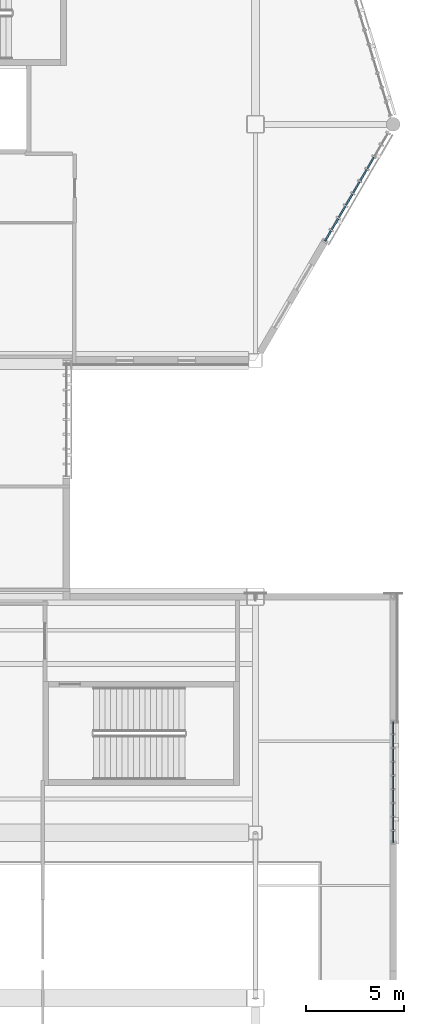
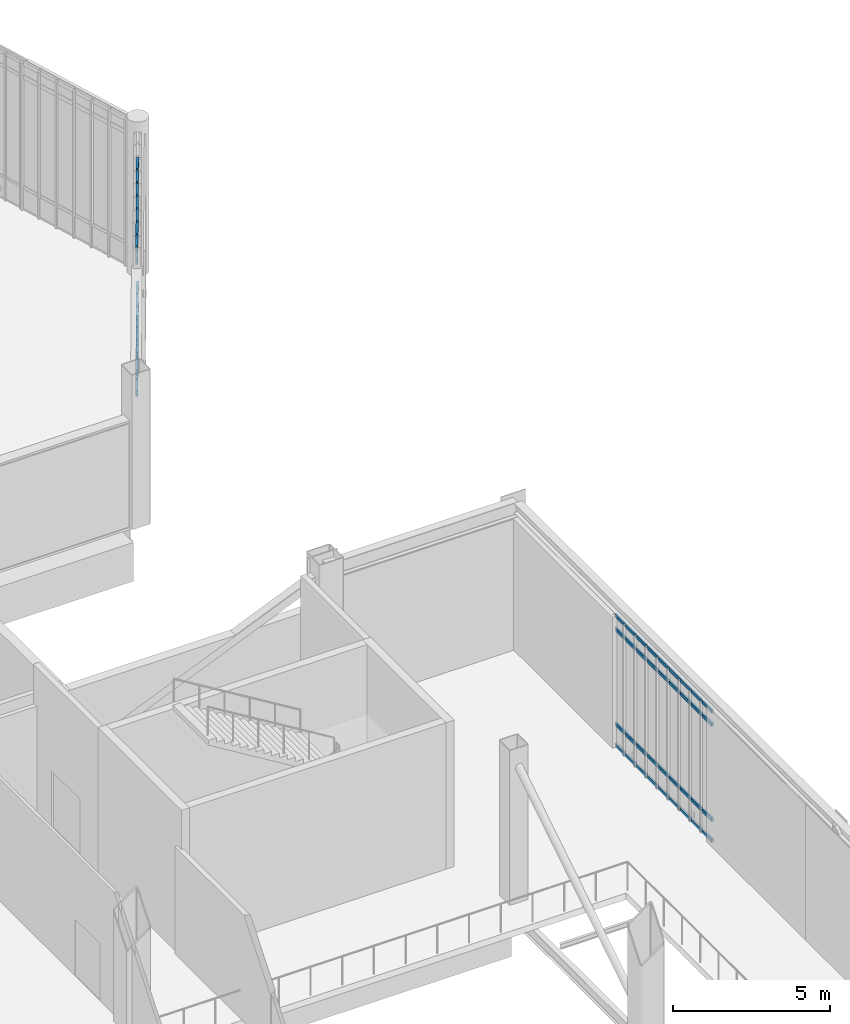
# One storey, part 62 of 135: 64 members, 2 elements without a shape of their own.
"""IFC4 building model written with IfcOpenShell, lengths in metres."""

from ifc_helpers import new_model, si_unit, direction, frame, origin, origin_2d, place, context, subcontext, project, spatial, rectangle, extrude, material, material_profile, profile_set, type_object, element, aggregate, save


model = new_model("IFC4")

# Units and contexts
model_context = context("Model", 3, precision=1e-05, world=origin(), true_north=direction((0.0, 1.0)))
body_context = subcontext(model_context, "Body", "Model", "MODEL_VIEW")
ifc_project = project(units=[si_unit("LENGTHUNIT", "METRE"), si_unit("AREAUNIT", "SQUARE_METRE"), si_unit("VOLUMEUNIT", "CUBIC_METRE"), si_unit("PLANEANGLEUNIT", "RADIAN"), si_unit("MASSUNIT", "GRAM", prefix="KILO")], contexts=[model_context])

# Site, building, storey
site_placement = place(None, origin())
site = spatial("IfcSite", under=ifc_project, at=site_placement, CompositionType="ELEMENT")
building_placement = place(site_placement, origin())
building = spatial("IfcBuilding", under=site, at=building_placement, Name="Larkvane Passage Sports Hall", CompositionType="ELEMENT")
storey_placement = place(building_placement, frame((0.0, 0.0, 10.800048828125)))
storey = spatial("IfcBuildingStorey", under=building, at=storey_placement, Name="L02", CompositionType="ELEMENT", Elevation=10.800048828125)

# Curtain wall, members
ifc_material_1 = material(Name="Thermally broken aluminium and low-E glazing", Category="aluminium")
curtain_wall_type_1 = type_object("IfcCurtainWallType", Name="CW-UNIT-COURT", PredefinedType="USERDEFINED", material=ifc_material_1)
curtain_wall_1_placement = place(storey_placement, origin())
curtain_wall_1 = element("IfcCurtainWall", 1, at=curtain_wall_1_placement, inside=storey, type_object=curtain_wall_type_1, Name="Curtain wall CW5-L02-072", ObjectType="UNITISED CURTAIN WALL", PredefinedType="USERDEFINED")
ifc_material_2 = material(Name="Anodised aluminium 6063-T6", Category="aluminium")
ifc_material_profile_1 = material_profile(ifc_material_2, rectangle(XDim=0.06494140625, YDim=0.139892578125, at=origin_2d()), Name="ALU-TRN-65x140")
ifc_profile_set_1 = profile_set([ifc_material_profile_1], Name="Anodised aluminium 6063-T6")
member_type_1 = type_object("IfcMemberType", Name="CW-TRN-65x140", PredefinedType="USERDEFINED", material=ifc_profile_set_1)
member_1_placement = place(storey_placement, frame((152.60009765625, 45.249267578125, 0.032470703125), z_axis=(0.0, -1.0, 0.0), x_axis=(1.0, 0.0, 0.0)))
member_1 = element("IfcMember", 2, at=member_1_placement, type_object=member_type_1, Name="CW-01 transom 1.1", ObjectType="TRANSOM", PredefinedType="USERDEFINED", context=body_context, shape_type="SweptSolid", body=[
    extrude(rectangle(XDim=0.06494140625, YDim=0.139892578125, at=origin_2d()), origin(), (0.0, 0.0, 1.0), 0.600830078125),
])
member_2_placement = place(storey_placement, frame((152.60009765625, 45.249267578125, 0.849853515625), z_axis=(0.0, -1.0, 0.0), x_axis=(1.0, 0.0, 0.0)))
member_2 = element("IfcMember", 3, at=member_2_placement, type_object=member_type_1, Name="CW-01 transom 1.2", ObjectType="TRANSOM", PredefinedType="USERDEFINED", context=body_context, shape_type="SweptSolid", body=[
    extrude(rectangle(XDim=0.06494140625, YDim=0.139892578125, at=origin_2d()), origin(), (0.0, 0.0, 1.0), 0.600830078125),
])
member_3_placement = place(storey_placement, frame((152.60009765625, 45.249267578125, 4.530029296875), z_axis=(0.0, -1.0, 0.0), x_axis=(1.0, 0.0, 0.0)))
member_3 = element("IfcMember", 4, at=member_3_placement, type_object=member_type_1, Name="CW-01 transom 1.3", ObjectType="TRANSOM", PredefinedType="USERDEFINED", context=body_context, shape_type="SweptSolid", body=[
    extrude(rectangle(XDim=0.06494140625, YDim=0.139892578125, at=origin_2d()), origin(), (0.0, 0.0, 1.0), 0.600830078125),
])
member_4_placement = place(storey_placement, frame((152.60009765625, 45.249267578125, 5.04736328125), z_axis=(0.0, -1.0, 0.0), x_axis=(1.0, 0.0, 0.0)))
member_4 = element("IfcMember", 5, at=member_4_placement, type_object=member_type_1, Name="CW-01 transom 1.4", ObjectType="TRANSOM", PredefinedType="USERDEFINED", context=body_context, shape_type="SweptSolid", body=[
    extrude(rectangle(XDim=0.06494140625, YDim=0.139892578125, at=origin_2d()), origin(), (0.0, 0.0, 1.0), 0.600830078125),
])
member_5_placement = place(storey_placement, frame((152.60009765625, 44.58349609375, 0.032470703125), z_axis=(0.0, -1.0, 0.0), x_axis=(1.0, 0.0, 0.0)))
member_5 = element("IfcMember", 6, at=member_5_placement, type_object=member_type_1, Name="CW-01 transom 2.1", ObjectType="TRANSOM", PredefinedType="USERDEFINED", context=body_context, shape_type="SweptSolid", body=[
    extrude(rectangle(XDim=0.06494140625, YDim=0.139892578125, at=origin_2d()), origin(), (0.0, 0.0, 1.0), 0.633544921875),
])
member_6_placement = place(storey_placement, frame((152.60009765625, 44.58349609375, 0.849853515625), z_axis=(0.0, -1.0, 0.0), x_axis=(1.0, 0.0, 0.0)))
member_6 = element("IfcMember", 7, at=member_6_placement, type_object=member_type_1, Name="CW-01 transom 2.2", ObjectType="TRANSOM", PredefinedType="USERDEFINED", context=body_context, shape_type="SweptSolid", body=[
    extrude(rectangle(XDim=0.06494140625, YDim=0.139892578125, at=origin_2d()), origin(), (0.0, 0.0, 1.0), 0.633544921875),
])
member_7_placement = place(storey_placement, frame((152.60009765625, 44.58349609375, 4.530029296875), z_axis=(0.0, -1.0, 0.0), x_axis=(1.0, 0.0, 0.0)))
member_7 = element("IfcMember", 8, at=member_7_placement, type_object=member_type_1, Name="CW-01 transom 2.3", ObjectType="TRANSOM", PredefinedType="USERDEFINED", context=body_context, shape_type="SweptSolid", body=[
    extrude(rectangle(XDim=0.06494140625, YDim=0.139892578125, at=origin_2d()), origin(), (0.0, 0.0, 1.0), 0.633544921875),
])
member_8_placement = place(storey_placement, frame((152.60009765625, 44.58349609375, 5.04736328125), z_axis=(0.0, -1.0, 0.0), x_axis=(1.0, 0.0, 0.0)))
member_8 = element("IfcMember", 9, at=member_8_placement, type_object=member_type_1, Name="CW-01 transom 2.4", ObjectType="TRANSOM", PredefinedType="USERDEFINED", context=body_context, shape_type="SweptSolid", body=[
    extrude(rectangle(XDim=0.06494140625, YDim=0.139892578125, at=origin_2d()), origin(), (0.0, 0.0, 1.0), 0.633544921875),
])
member_9_placement = place(storey_placement, frame((152.60009765625, 43.885009765625, 0.032470703125), z_axis=(0.0, -1.0, 0.0), x_axis=(1.0, 0.0, 0.0)))
member_9 = element("IfcMember", 10, at=member_9_placement, type_object=member_type_1, Name="CW-01 transom 3.1", ObjectType="TRANSOM", PredefinedType="USERDEFINED", context=body_context, shape_type="SweptSolid", body=[
    extrude(rectangle(XDim=0.06494140625, YDim=0.139892578125, at=origin_2d()), origin(), (0.0, 0.0, 1.0), 0.633544921875),
])
member_10_placement = place(storey_placement, frame((152.60009765625, 43.885009765625, 0.849853515625), z_axis=(0.0, -1.0, 0.0), x_axis=(1.0, 0.0, 0.0)))
member_10 = element("IfcMember", 11, at=member_10_placement, type_object=member_type_1, Name="CW-01 transom 3.2", ObjectType="TRANSOM", PredefinedType="USERDEFINED", context=body_context, shape_type="SweptSolid", body=[
    extrude(rectangle(XDim=0.06494140625, YDim=0.139892578125, at=origin_2d()), origin(), (0.0, 0.0, 1.0), 0.633544921875),
])
member_11_placement = place(storey_placement, frame((152.60009765625, 43.885009765625, 4.530029296875), z_axis=(0.0, -1.0, 0.0), x_axis=(1.0, 0.0, 0.0)))
member_11 = element("IfcMember", 12, at=member_11_placement, type_object=member_type_1, Name="CW-01 transom 3.3", ObjectType="TRANSOM", PredefinedType="USERDEFINED", context=body_context, shape_type="SweptSolid", body=[
    extrude(rectangle(XDim=0.06494140625, YDim=0.139892578125, at=origin_2d()), origin(), (0.0, 0.0, 1.0), 0.633544921875),
])
member_12_placement = place(storey_placement, frame((152.60009765625, 43.885009765625, 5.04736328125), z_axis=(0.0, -1.0, 0.0), x_axis=(1.0, 0.0, 0.0)))
member_12 = element("IfcMember", 13, at=member_12_placement, type_object=member_type_1, Name="CW-01 transom 3.4", ObjectType="TRANSOM", PredefinedType="USERDEFINED", context=body_context, shape_type="SweptSolid", body=[
    extrude(rectangle(XDim=0.06494140625, YDim=0.139892578125, at=origin_2d()), origin(), (0.0, 0.0, 1.0), 0.633544921875),
])
member_13_placement = place(storey_placement, frame((152.60009765625, 43.1865234375, 0.032470703125), z_axis=(0.0, -1.0, 0.0), x_axis=(1.0, 0.0, 0.0)))
member_13 = element("IfcMember", 14, at=member_13_placement, type_object=member_type_1, Name="CW-01 transom 4.1", ObjectType="TRANSOM", PredefinedType="USERDEFINED", context=body_context, shape_type="SweptSolid", body=[
    extrude(rectangle(XDim=0.06494140625, YDim=0.139892578125, at=origin_2d()), origin(), (0.0, 0.0, 1.0), 0.63330078125),
])
member_14_placement = place(storey_placement, frame((152.60009765625, 43.1865234375, 0.849853515625), z_axis=(0.0, -1.0, 0.0), x_axis=(1.0, 0.0, 0.0)))
member_14 = element("IfcMember", 15, at=member_14_placement, type_object=member_type_1, Name="CW-01 transom 4.2", ObjectType="TRANSOM", PredefinedType="USERDEFINED", context=body_context, shape_type="SweptSolid", body=[
    extrude(rectangle(XDim=0.06494140625, YDim=0.139892578125, at=origin_2d()), origin(), (0.0, 0.0, 1.0), 0.63330078125),
])
member_15_placement = place(storey_placement, frame((152.60009765625, 43.1865234375, 4.530029296875), z_axis=(0.0, -1.0, 0.0), x_axis=(1.0, 0.0, 0.0)))
member_15 = element("IfcMember", 16, at=member_15_placement, type_object=member_type_1, Name="CW-01 transom 4.3", ObjectType="TRANSOM", PredefinedType="USERDEFINED", context=body_context, shape_type="SweptSolid", body=[
    extrude(rectangle(XDim=0.06494140625, YDim=0.139892578125, at=origin_2d()), origin(), (0.0, 0.0, 1.0), 0.63330078125),
])
member_16_placement = place(storey_placement, frame((152.60009765625, 43.1865234375, 5.04736328125), z_axis=(0.0, -1.0, 0.0), x_axis=(1.0, 0.0, 0.0)))
member_16 = element("IfcMember", 17, at=member_16_placement, type_object=member_type_1, Name="CW-01 transom 4.4", ObjectType="TRANSOM", PredefinedType="USERDEFINED", context=body_context, shape_type="SweptSolid", body=[
    extrude(rectangle(XDim=0.06494140625, YDim=0.139892578125, at=origin_2d()), origin(), (0.0, 0.0, 1.0), 0.63330078125),
])
member_17_placement = place(storey_placement, frame((152.60009765625, 42.488037109375, 0.032470703125), z_axis=(0.0, -1.0, 0.0), x_axis=(1.0, 0.0, 0.0)))
member_17 = element("IfcMember", 18, at=member_17_placement, type_object=member_type_1, Name="CW-01 transom 5.1", ObjectType="TRANSOM", PredefinedType="USERDEFINED", context=body_context, shape_type="SweptSolid", body=[
    extrude(rectangle(XDim=0.06494140625, YDim=0.139892578125, at=origin_2d()), origin(), (0.0, 0.0, 1.0), 0.63330078125),
])
member_18_placement = place(storey_placement, frame((152.60009765625, 42.488037109375, 0.849853515625), z_axis=(0.0, -1.0, 0.0), x_axis=(1.0, 0.0, 0.0)))
member_18 = element("IfcMember", 19, at=member_18_placement, type_object=member_type_1, Name="CW-01 transom 5.2", ObjectType="TRANSOM", PredefinedType="USERDEFINED", context=body_context, shape_type="SweptSolid", body=[
    extrude(rectangle(XDim=0.06494140625, YDim=0.139892578125, at=origin_2d()), origin(), (0.0, 0.0, 1.0), 0.63330078125),
])
member_19_placement = place(storey_placement, frame((152.60009765625, 42.488037109375, 4.530029296875), z_axis=(0.0, -1.0, 0.0), x_axis=(1.0, 0.0, 0.0)))
member_19 = element("IfcMember", 20, at=member_19_placement, type_object=member_type_1, Name="CW-01 transom 5.3", ObjectType="TRANSOM", PredefinedType="USERDEFINED", context=body_context, shape_type="SweptSolid", body=[
    extrude(rectangle(XDim=0.06494140625, YDim=0.139892578125, at=origin_2d()), origin(), (0.0, 0.0, 1.0), 0.63330078125),
])
member_20_placement = place(storey_placement, frame((152.60009765625, 42.488037109375, 5.04736328125), z_axis=(0.0, -1.0, 0.0), x_axis=(1.0, 0.0, 0.0)))
member_20 = element("IfcMember", 21, at=member_20_placement, type_object=member_type_1, Name="CW-01 transom 5.4", ObjectType="TRANSOM", PredefinedType="USERDEFINED", context=body_context, shape_type="SweptSolid", body=[
    extrude(rectangle(XDim=0.06494140625, YDim=0.139892578125, at=origin_2d()), origin(), (0.0, 0.0, 1.0), 0.63330078125),
])
member_21_placement = place(storey_placement, frame((152.60009765625, 41.789794921875, 0.032470703125), z_axis=(0.0, -1.0, 0.0), x_axis=(1.0, 0.0, 0.0)))
member_21 = element("IfcMember", 22, at=member_21_placement, type_object=member_type_1, Name="CW-01 transom 6.1", ObjectType="TRANSOM", PredefinedType="USERDEFINED", context=body_context, shape_type="SweptSolid", body=[
    extrude(rectangle(XDim=0.06494140625, YDim=0.139892578125, at=origin_2d()), origin(), (0.0, 0.0, 1.0), 0.633544921875),
])
member_22_placement = place(storey_placement, frame((152.60009765625, 41.789794921875, 0.849853515625), z_axis=(0.0, -1.0, 0.0), x_axis=(1.0, 0.0, 0.0)))
member_22 = element("IfcMember", 23, at=member_22_placement, type_object=member_type_1, Name="CW-01 transom 6.2", ObjectType="TRANSOM", PredefinedType="USERDEFINED", context=body_context, shape_type="SweptSolid", body=[
    extrude(rectangle(XDim=0.06494140625, YDim=0.139892578125, at=origin_2d()), origin(), (0.0, 0.0, 1.0), 0.633544921875),
])
member_23_placement = place(storey_placement, frame((152.60009765625, 41.789794921875, 4.530029296875), z_axis=(0.0, -1.0, 0.0), x_axis=(1.0, 0.0, 0.0)))
member_23 = element("IfcMember", 24, at=member_23_placement, type_object=member_type_1, Name="CW-01 transom 6.3", ObjectType="TRANSOM", PredefinedType="USERDEFINED", context=body_context, shape_type="SweptSolid", body=[
    extrude(rectangle(XDim=0.06494140625, YDim=0.139892578125, at=origin_2d()), origin(), (0.0, 0.0, 1.0), 0.633544921875),
])
member_24_placement = place(storey_placement, frame((152.60009765625, 41.789794921875, 5.04736328125), z_axis=(0.0, -1.0, 0.0), x_axis=(1.0, 0.0, 0.0)))
member_24 = element("IfcMember", 25, at=member_24_placement, type_object=member_type_1, Name="CW-01 transom 6.4", ObjectType="TRANSOM", PredefinedType="USERDEFINED", context=body_context, shape_type="SweptSolid", body=[
    extrude(rectangle(XDim=0.06494140625, YDim=0.139892578125, at=origin_2d()), origin(), (0.0, 0.0, 1.0), 0.633544921875),
])
member_25_placement = place(storey_placement, frame((152.60009765625, 41.09130859375, 0.032470703125), z_axis=(0.0, -1.0, 0.0), x_axis=(1.0, 0.0, 0.0)))
member_25 = element("IfcMember", 26, at=member_25_placement, type_object=member_type_1, Name="CW-01 transom 7.1", ObjectType="TRANSOM", PredefinedType="USERDEFINED", context=body_context, shape_type="SweptSolid", body=[
    extrude(rectangle(XDim=0.06494140625, YDim=0.139892578125, at=origin_2d()), origin(), (0.0, 0.0, 1.0), 0.63330078125),
])
member_26_placement = place(storey_placement, frame((152.60009765625, 41.09130859375, 0.849853515625), z_axis=(0.0, -1.0, 0.0), x_axis=(1.0, 0.0, 0.0)))
member_26 = element("IfcMember", 27, at=member_26_placement, type_object=member_type_1, Name="CW-01 transom 7.2", ObjectType="TRANSOM", PredefinedType="USERDEFINED", context=body_context, shape_type="SweptSolid", body=[
    extrude(rectangle(XDim=0.06494140625, YDim=0.139892578125, at=origin_2d()), origin(), (0.0, 0.0, 1.0), 0.63330078125),
])
member_27_placement = place(storey_placement, frame((152.60009765625, 41.09130859375, 4.530029296875), z_axis=(0.0, -1.0, 0.0), x_axis=(1.0, 0.0, 0.0)))
member_27 = element("IfcMember", 28, at=member_27_placement, type_object=member_type_1, Name="CW-01 transom 7.3", ObjectType="TRANSOM", PredefinedType="USERDEFINED", context=body_context, shape_type="SweptSolid", body=[
    extrude(rectangle(XDim=0.06494140625, YDim=0.139892578125, at=origin_2d()), origin(), (0.0, 0.0, 1.0), 0.63330078125),
])
member_28_placement = place(storey_placement, frame((152.60009765625, 41.09130859375, 5.04736328125), z_axis=(0.0, -1.0, 0.0), x_axis=(1.0, 0.0, 0.0)))
member_28 = element("IfcMember", 29, at=member_28_placement, type_object=member_type_1, Name="CW-01 transom 7.4", ObjectType="TRANSOM", PredefinedType="USERDEFINED", context=body_context, shape_type="SweptSolid", body=[
    extrude(rectangle(XDim=0.06494140625, YDim=0.139892578125, at=origin_2d()), origin(), (0.0, 0.0, 1.0), 0.63330078125),
])
member_29_placement = place(storey_placement, frame((152.60009765625, 40.392822265625, 0.032470703125), z_axis=(0.0, -1.0, 0.0), x_axis=(1.0, 0.0, 0.0)))
member_29 = element("IfcMember", 30, at=member_29_placement, type_object=member_type_1, Name="CW-01 transom 8.1", ObjectType="TRANSOM", PredefinedType="USERDEFINED", context=body_context, shape_type="SweptSolid", body=[
    extrude(rectangle(XDim=0.06494140625, YDim=0.139892578125, at=origin_2d()), origin(), (0.0, 0.0, 1.0), 0.63330078125),
])
member_30_placement = place(storey_placement, frame((152.60009765625, 40.392822265625, 0.849853515625), z_axis=(0.0, -1.0, 0.0), x_axis=(1.0, 0.0, 0.0)))
member_30 = element("IfcMember", 31, at=member_30_placement, type_object=member_type_1, Name="CW-01 transom 8.2", ObjectType="TRANSOM", PredefinedType="USERDEFINED", context=body_context, shape_type="SweptSolid", body=[
    extrude(rectangle(XDim=0.06494140625, YDim=0.139892578125, at=origin_2d()), origin(), (0.0, 0.0, 1.0), 0.63330078125),
])
member_31_placement = place(storey_placement, frame((152.60009765625, 40.392822265625, 4.530029296875), z_axis=(0.0, -1.0, 0.0), x_axis=(1.0, 0.0, 0.0)))
member_31 = element("IfcMember", 32, at=member_31_placement, type_object=member_type_1, Name="CW-01 transom 8.3", ObjectType="TRANSOM", PredefinedType="USERDEFINED", context=body_context, shape_type="SweptSolid", body=[
    extrude(rectangle(XDim=0.06494140625, YDim=0.139892578125, at=origin_2d()), origin(), (0.0, 0.0, 1.0), 0.63330078125),
])
member_32_placement = place(storey_placement, frame((152.60009765625, 40.392822265625, 5.04736328125), z_axis=(0.0, -1.0, 0.0), x_axis=(1.0, 0.0, 0.0)))
member_32 = element("IfcMember", 33, at=member_32_placement, type_object=member_type_1, Name="CW-01 transom 8.4", ObjectType="TRANSOM", PredefinedType="USERDEFINED", context=body_context, shape_type="SweptSolid", body=[
    extrude(rectangle(XDim=0.06494140625, YDim=0.139892578125, at=origin_2d()), origin(), (0.0, 0.0, 1.0), 0.63330078125),
])
member_33_placement = place(storey_placement, frame((152.60009765625, 39.694580078125, 0.032470703125), z_axis=(0.0, -1.0, 0.0), x_axis=(1.0, 0.0, 0.0)))
member_33 = element("IfcMember", 34, at=member_33_placement, type_object=member_type_1, Name="CW-01 transom 9.1", ObjectType="TRANSOM", PredefinedType="USERDEFINED", context=body_context, shape_type="SweptSolid", body=[
    extrude(rectangle(XDim=0.06494140625, YDim=0.139892578125, at=origin_2d()), origin(), (0.0, 0.0, 1.0), 0.60107421875),
])
member_34_placement = place(storey_placement, frame((152.60009765625, 39.694580078125, 0.849853515625), z_axis=(0.0, -1.0, 0.0), x_axis=(1.0, 0.0, 0.0)))
member_34 = element("IfcMember", 35, at=member_34_placement, type_object=member_type_1, Name="CW-01 transom 9.2", ObjectType="TRANSOM", PredefinedType="USERDEFINED", context=body_context, shape_type="SweptSolid", body=[
    extrude(rectangle(XDim=0.06494140625, YDim=0.139892578125, at=origin_2d()), origin(), (0.0, 0.0, 1.0), 0.60107421875),
])
member_35_placement = place(storey_placement, frame((152.60009765625, 39.694580078125, 4.530029296875), z_axis=(0.0, -1.0, 0.0), x_axis=(1.0, 0.0, 0.0)))
member_35 = element("IfcMember", 36, at=member_35_placement, type_object=member_type_1, Name="CW-01 transom 9.3", ObjectType="TRANSOM", PredefinedType="USERDEFINED", context=body_context, shape_type="SweptSolid", body=[
    extrude(rectangle(XDim=0.06494140625, YDim=0.139892578125, at=origin_2d()), origin(), (0.0, 0.0, 1.0), 0.60107421875),
])
member_36_placement = place(storey_placement, frame((152.60009765625, 39.694580078125, 5.04736328125), z_axis=(0.0, -1.0, 0.0), x_axis=(1.0, 0.0, 0.0)))
member_36 = element("IfcMember", 37, at=member_36_placement, type_object=member_type_1, Name="CW-01 transom 9.4", ObjectType="TRANSOM", PredefinedType="USERDEFINED", context=body_context, shape_type="SweptSolid", body=[
    extrude(rectangle(XDim=0.06494140625, YDim=0.139892578125, at=origin_2d()), origin(), (0.0, 0.0, 1.0), 0.60107421875),
])
aggregate(curtain_wall_1, [member_1, member_2, member_3, member_4, member_5, member_6, member_7, member_8, member_9, member_10, member_11, member_12, member_13, member_14, member_15, member_16, member_17, member_18, member_19, member_20, member_21, member_22, member_23, member_24, member_25, member_26, member_27, member_28, member_29, member_30, member_31, member_32, member_33, member_34, member_35, member_36])

curtain_wall_type_2 = type_object("IfcCurtainWallType", Name="CW-STICK-FOYER", PredefinedType="USERDEFINED", material=ifc_material_1)
curtain_wall_2_placement = place(storey_placement, origin())
curtain_wall_2 = element("IfcCurtainWall", 38, at=curtain_wall_2_placement, inside=storey, type_object=curtain_wall_type_2, Name="Curtain wall CW5-L02-070", ObjectType="STICK CURTAIN WALL", PredefinedType="USERDEFINED")
ifc_material_profile_2 = material_profile(ifc_material_2, rectangle(XDim=0.080078125, YDim=0.2099609375, at=origin_2d()), Name="ALU-TRN-80x210")
ifc_profile_set_2 = profile_set([ifc_material_profile_2], Name="Anodised aluminium 6063-T6")
member_type_2 = type_object("IfcMemberType", Name="CW-TRN-80x210", PredefinedType="USERDEFINED", material=ifc_profile_set_2)
member_37_placement = place(storey_placement, frame((151.615966796875, 73.913330078125, 0.0400390625), z_axis=(-0.503894778363, -0.863765044638, 0.0), x_axis=(0.863765044638, -0.503894778363, 0.0)))
member_37 = element("IfcMember", 39, at=member_37_placement, type_object=member_type_2, Name="CW-03 transom 3.1", ObjectType="TRANSOM", PredefinedType="USERDEFINED", context=body_context, shape_type="SweptSolid", body=[
    extrude(rectangle(XDim=0.080078125, YDim=0.2099609375, at=origin_2d()), origin(), (0.0, 0.0, 1.0), 0.63916015625),
])
member_38_placement = place(storey_placement, frame((151.615966796875, 73.913330078125, 0.849853515625), z_axis=(-0.503894778363, -0.863765044638, 0.0), x_axis=(0.863765044638, -0.503894778363, 0.0)))
member_38 = element("IfcMember", 40, at=member_38_placement, type_object=member_type_2, Name="CW-03 transom 3.2", ObjectType="TRANSOM", PredefinedType="USERDEFINED", context=body_context, shape_type="SweptSolid", body=[
    extrude(rectangle(XDim=0.080078125, YDim=0.2099609375, at=origin_2d()), origin(), (0.0, 0.0, 1.0), 0.63916015625),
])
member_39_placement = place(storey_placement, frame((151.615966796875, 73.913330078125, 5.14990234375), z_axis=(-0.503894778363, -0.863765044638, 0.0), x_axis=(0.863765044638, -0.503894778363, 0.0)))
member_39 = element("IfcMember", 41, at=member_39_placement, type_object=member_type_2, Name="CW-03 transom 3.3", ObjectType="TRANSOM", PredefinedType="USERDEFINED", context=body_context, shape_type="SweptSolid", body=[
    extrude(rectangle(XDim=0.080078125, YDim=0.2099609375, at=origin_2d()), origin(), (0.0, 0.0, 1.0), 0.63916015625),
])
member_40_placement = place(storey_placement, frame((151.615966796875, 73.913330078125, 5.659912109375), z_axis=(-0.503894778363, -0.863765044638, 0.0), x_axis=(0.863765044638, -0.503894778363, 0.0)))
member_40 = element("IfcMember", 42, at=member_40_placement, type_object=member_type_2, Name="CW-03 transom 3.4", ObjectType="TRANSOM", PredefinedType="USERDEFINED", context=body_context, shape_type="SweptSolid", body=[
    extrude(rectangle(XDim=0.080078125, YDim=0.2099609375, at=origin_2d()), origin(), (0.0, 0.0, 1.0), 0.63916015625),
])
member_41_placement = place(storey_placement, frame((151.253662109375, 73.292236328125, 0.0400390625), z_axis=(-0.503728547512, -0.863861997325, 0.0), x_axis=(0.863861997325, -0.503728547512, 0.0)))
member_41 = element("IfcMember", 43, at=member_41_placement, type_object=member_type_2, Name="CW-03 transom 4.1", ObjectType="TRANSOM", PredefinedType="USERDEFINED", context=body_context, shape_type="SweptSolid", body=[
    extrude(rectangle(XDim=0.080078125, YDim=0.2099609375, at=origin_2d()), origin(), (0.0, 0.0, 1.0), 0.63916015625),
])
member_42_placement = place(storey_placement, frame((151.253662109375, 73.292236328125, 0.849853515625), z_axis=(-0.503728547512, -0.863861997325, 0.0), x_axis=(0.863861997325, -0.503728547512, 0.0)))
member_42 = element("IfcMember", 44, at=member_42_placement, type_object=member_type_2, Name="CW-03 transom 4.2", ObjectType="TRANSOM", PredefinedType="USERDEFINED", context=body_context, shape_type="SweptSolid", body=[
    extrude(rectangle(XDim=0.080078125, YDim=0.2099609375, at=origin_2d()), origin(), (0.0, 0.0, 1.0), 0.63916015625),
])
member_43_placement = place(storey_placement, frame((151.253662109375, 73.292236328125, 5.14990234375), z_axis=(-0.503728547512, -0.863861997325, 0.0), x_axis=(0.863861997325, -0.503728547512, 0.0)))
member_43 = element("IfcMember", 45, at=member_43_placement, type_object=member_type_2, Name="CW-03 transom 4.3", ObjectType="TRANSOM", PredefinedType="USERDEFINED", context=body_context, shape_type="SweptSolid", body=[
    extrude(rectangle(XDim=0.080078125, YDim=0.2099609375, at=origin_2d()), origin(), (0.0, 0.0, 1.0), 0.63916015625),
])
member_44_placement = place(storey_placement, frame((151.253662109375, 73.292236328125, 5.659912109375), z_axis=(-0.503728547512, -0.863861997325, 0.0), x_axis=(0.863861997325, -0.503728547512, 0.0)))
member_44 = element("IfcMember", 46, at=member_44_placement, type_object=member_type_2, Name="CW-03 transom 4.4", ObjectType="TRANSOM", PredefinedType="USERDEFINED", context=body_context, shape_type="SweptSolid", body=[
    extrude(rectangle(XDim=0.080078125, YDim=0.2099609375, at=origin_2d()), origin(), (0.0, 0.0, 1.0), 0.63916015625),
])
member_45_placement = place(storey_placement, frame((150.891357421875, 72.6708984375, 0.0400390625), z_axis=(-0.503894778363, -0.863765044638, 0.0), x_axis=(0.863765044638, -0.503894778363, 0.0)))
member_45 = element("IfcMember", 47, at=member_45_placement, type_object=member_type_2, Name="CW-03 transom 5.1", ObjectType="TRANSOM", PredefinedType="USERDEFINED", context=body_context, shape_type="SweptSolid", body=[
    extrude(rectangle(XDim=0.080078125, YDim=0.2099609375, at=origin_2d()), origin(), (0.0, 0.0, 1.0), 0.63916015625),
])
member_46_placement = place(storey_placement, frame((150.891357421875, 72.6708984375, 0.849853515625), z_axis=(-0.503894778363, -0.863765044638, 0.0), x_axis=(0.863765044638, -0.503894778363, 0.0)))
member_46 = element("IfcMember", 48, at=member_46_placement, type_object=member_type_2, Name="CW-03 transom 5.2", ObjectType="TRANSOM", PredefinedType="USERDEFINED", context=body_context, shape_type="SweptSolid", body=[
    extrude(rectangle(XDim=0.080078125, YDim=0.2099609375, at=origin_2d()), origin(), (0.0, 0.0, 1.0), 0.63916015625),
])
member_47_placement = place(storey_placement, frame((150.891357421875, 72.6708984375, 5.14990234375), z_axis=(-0.503894778363, -0.863765044638, 0.0), x_axis=(0.863765044638, -0.503894778363, 0.0)))
member_47 = element("IfcMember", 49, at=member_47_placement, type_object=member_type_2, Name="CW-03 transom 5.3", ObjectType="TRANSOM", PredefinedType="USERDEFINED", context=body_context, shape_type="SweptSolid", body=[
    extrude(rectangle(XDim=0.080078125, YDim=0.2099609375, at=origin_2d()), origin(), (0.0, 0.0, 1.0), 0.63916015625),
])
member_48_placement = place(storey_placement, frame((150.891357421875, 72.6708984375, 5.659912109375), z_axis=(-0.503894778363, -0.863765044638, 0.0), x_axis=(0.863765044638, -0.503894778363, 0.0)))
member_48 = element("IfcMember", 50, at=member_48_placement, type_object=member_type_2, Name="CW-03 transom 5.4", ObjectType="TRANSOM", PredefinedType="USERDEFINED", context=body_context, shape_type="SweptSolid", body=[
    extrude(rectangle(XDim=0.080078125, YDim=0.2099609375, at=origin_2d()), origin(), (0.0, 0.0, 1.0), 0.63916015625),
])
member_49_placement = place(storey_placement, frame((150.529052734375, 72.0498046875, 0.0400390625), z_axis=(-0.503894778363, -0.863765044638, 0.0), x_axis=(0.863765044638, -0.503894778363, 0.0)))
member_49 = element("IfcMember", 51, at=member_49_placement, type_object=member_type_2, Name="CW-03 transom 6.1", ObjectType="TRANSOM", PredefinedType="USERDEFINED", context=body_context, shape_type="SweptSolid", body=[
    extrude(rectangle(XDim=0.080078125, YDim=0.2099609375, at=origin_2d()), origin(), (0.0, 0.0, 1.0), 0.63916015625),
])
member_50_placement = place(storey_placement, frame((150.529052734375, 72.0498046875, 0.849853515625), z_axis=(-0.503894778363, -0.863765044638, 0.0), x_axis=(0.863765044638, -0.503894778363, 0.0)))
member_50 = element("IfcMember", 52, at=member_50_placement, type_object=member_type_2, Name="CW-03 transom 6.2", ObjectType="TRANSOM", PredefinedType="USERDEFINED", context=body_context, shape_type="SweptSolid", body=[
    extrude(rectangle(XDim=0.080078125, YDim=0.2099609375, at=origin_2d()), origin(), (0.0, 0.0, 1.0), 0.63916015625),
])
member_51_placement = place(storey_placement, frame((150.529052734375, 72.0498046875, 5.14990234375), z_axis=(-0.503894778363, -0.863765044638, 0.0), x_axis=(0.863765044638, -0.503894778363, 0.0)))
member_51 = element("IfcMember", 53, at=member_51_placement, type_object=member_type_2, Name="CW-03 transom 6.3", ObjectType="TRANSOM", PredefinedType="USERDEFINED", context=body_context, shape_type="SweptSolid", body=[
    extrude(rectangle(XDim=0.080078125, YDim=0.2099609375, at=origin_2d()), origin(), (0.0, 0.0, 1.0), 0.63916015625),
])
member_52_placement = place(storey_placement, frame((150.529052734375, 72.0498046875, 5.659912109375), z_axis=(-0.503894778363, -0.863765044638, 0.0), x_axis=(0.863765044638, -0.503894778363, 0.0)))
member_52 = element("IfcMember", 54, at=member_52_placement, type_object=member_type_2, Name="CW-03 transom 6.4", ObjectType="TRANSOM", PredefinedType="USERDEFINED", context=body_context, shape_type="SweptSolid", body=[
    extrude(rectangle(XDim=0.080078125, YDim=0.2099609375, at=origin_2d()), origin(), (0.0, 0.0, 1.0), 0.63916015625),
])
member_53_placement = place(storey_placement, frame((150.166748046875, 71.4287109375, 0.0400390625), z_axis=(-0.503894778363, -0.863765044638, 0.0), x_axis=(0.863765044638, -0.503894778363, 0.0)))
member_53 = element("IfcMember", 55, at=member_53_placement, type_object=member_type_2, Name="CW-03 transom 7.1", ObjectType="TRANSOM", PredefinedType="USERDEFINED", context=body_context, shape_type="SweptSolid", body=[
    extrude(rectangle(XDim=0.080078125, YDim=0.2099609375, at=origin_2d()), origin(), (0.0, 0.0, 1.0), 0.63916015625),
])
member_54_placement = place(storey_placement, frame((150.166748046875, 71.4287109375, 0.849853515625), z_axis=(-0.503894778363, -0.863765044638, 0.0), x_axis=(0.863765044638, -0.503894778363, 0.0)))
member_54 = element("IfcMember", 56, at=member_54_placement, type_object=member_type_2, Name="CW-03 transom 7.2", ObjectType="TRANSOM", PredefinedType="USERDEFINED", context=body_context, shape_type="SweptSolid", body=[
    extrude(rectangle(XDim=0.080078125, YDim=0.2099609375, at=origin_2d()), origin(), (0.0, 0.0, 1.0), 0.63916015625),
])
member_55_placement = place(storey_placement, frame((150.166748046875, 71.4287109375, 5.14990234375), z_axis=(-0.503894778363, -0.863765044638, 0.0), x_axis=(0.863765044638, -0.503894778363, 0.0)))
member_55 = element("IfcMember", 57, at=member_55_placement, type_object=member_type_2, Name="CW-03 transom 7.3", ObjectType="TRANSOM", PredefinedType="USERDEFINED", context=body_context, shape_type="SweptSolid", body=[
    extrude(rectangle(XDim=0.080078125, YDim=0.2099609375, at=origin_2d()), origin(), (0.0, 0.0, 1.0), 0.63916015625),
])
member_56_placement = place(storey_placement, frame((150.166748046875, 71.4287109375, 5.659912109375), z_axis=(-0.503894778363, -0.863765044638, 0.0), x_axis=(0.863765044638, -0.503894778363, 0.0)))
member_56 = element("IfcMember", 58, at=member_56_placement, type_object=member_type_2, Name="CW-03 transom 7.4", ObjectType="TRANSOM", PredefinedType="USERDEFINED", context=body_context, shape_type="SweptSolid", body=[
    extrude(rectangle(XDim=0.080078125, YDim=0.2099609375, at=origin_2d()), origin(), (0.0, 0.0, 1.0), 0.63916015625),
])
member_57_placement = place(storey_placement, frame((149.804443359375, 70.8076171875, 0.0400390625), z_axis=(-0.503894778363, -0.863765044638, 0.0), x_axis=(0.863765044638, -0.503894778363, 0.0)))
member_57 = element("IfcMember", 59, at=member_57_placement, type_object=member_type_2, Name="CW-03 transom 8.1", ObjectType="TRANSOM", PredefinedType="USERDEFINED", context=body_context, shape_type="SweptSolid", body=[
    extrude(rectangle(XDim=0.080078125, YDim=0.2099609375, at=origin_2d()), origin(), (0.0, 0.0, 1.0), 0.63916015625),
])
member_58_placement = place(storey_placement, frame((149.804443359375, 70.8076171875, 0.849853515625), z_axis=(-0.503894778363, -0.863765044638, 0.0), x_axis=(0.863765044638, -0.503894778363, 0.0)))
member_58 = element("IfcMember", 60, at=member_58_placement, type_object=member_type_2, Name="CW-03 transom 8.2", ObjectType="TRANSOM", PredefinedType="USERDEFINED", context=body_context, shape_type="SweptSolid", body=[
    extrude(rectangle(XDim=0.080078125, YDim=0.2099609375, at=origin_2d()), origin(), (0.0, 0.0, 1.0), 0.63916015625),
])
member_59_placement = place(storey_placement, frame((149.804443359375, 70.8076171875, 5.14990234375), z_axis=(-0.503894778363, -0.863765044638, 0.0), x_axis=(0.863765044638, -0.503894778363, 0.0)))
member_59 = element("IfcMember", 61, at=member_59_placement, type_object=member_type_2, Name="CW-03 transom 8.3", ObjectType="TRANSOM", PredefinedType="USERDEFINED", context=body_context, shape_type="SweptSolid", body=[
    extrude(rectangle(XDim=0.080078125, YDim=0.2099609375, at=origin_2d()), origin(), (0.0, 0.0, 1.0), 0.63916015625),
])
member_60_placement = place(storey_placement, frame((149.804443359375, 70.8076171875, 5.659912109375), z_axis=(-0.503894778363, -0.863765044638, 0.0), x_axis=(0.863765044638, -0.503894778363, 0.0)))
member_60 = element("IfcMember", 62, at=member_60_placement, type_object=member_type_2, Name="CW-03 transom 8.4", ObjectType="TRANSOM", PredefinedType="USERDEFINED", context=body_context, shape_type="SweptSolid", body=[
    extrude(rectangle(XDim=0.080078125, YDim=0.2099609375, at=origin_2d()), origin(), (0.0, 0.0, 1.0), 0.63916015625),
])
member_61_placement = place(storey_placement, frame((149.442138671875, 70.1865234375, 0.0400390625), z_axis=(-0.503845679682, -0.863793685475, 0.0), x_axis=(0.863793685475, -0.503845679682, 0.0)))
member_61 = element("IfcMember", 63, at=member_61_placement, type_object=member_type_2, Name="CW-03 transom 9.1", ObjectType="TRANSOM", PredefinedType="USERDEFINED", context=body_context, shape_type="SweptSolid", body=[
    extrude(rectangle(XDim=0.080078125, YDim=0.2099609375, at=origin_2d()), origin(), (0.0, 0.0, 1.0), 0.598876953125),
])
member_62_placement = place(storey_placement, frame((149.442138671875, 70.1865234375, 0.849853515625), z_axis=(-0.503845679682, -0.863793685475, 0.0), x_axis=(0.863793685475, -0.503845679682, 0.0)))
member_62 = element("IfcMember", 64, at=member_62_placement, type_object=member_type_2, Name="CW-03 transom 9.2", ObjectType="TRANSOM", PredefinedType="USERDEFINED", context=body_context, shape_type="SweptSolid", body=[
    extrude(rectangle(XDim=0.080078125, YDim=0.2099609375, at=origin_2d()), origin(), (0.0, 0.0, 1.0), 0.598876953125),
])
member_63_placement = place(storey_placement, frame((149.442138671875, 70.1865234375, 5.14990234375), z_axis=(-0.503845679682, -0.863793685475, 0.0), x_axis=(0.863793685475, -0.503845679682, 0.0)))
member_63 = element("IfcMember", 65, at=member_63_placement, type_object=member_type_2, Name="CW-03 transom 9.3", ObjectType="TRANSOM", PredefinedType="USERDEFINED", context=body_context, shape_type="SweptSolid", body=[
    extrude(rectangle(XDim=0.080078125, YDim=0.2099609375, at=origin_2d()), origin(), (0.0, 0.0, 1.0), 0.598876953125),
])
member_64_placement = place(storey_placement, frame((149.442138671875, 70.1865234375, 5.659912109375), z_axis=(-0.503845679682, -0.863793685475, 0.0), x_axis=(0.863793685475, -0.503845679682, 0.0)))
member_64 = element("IfcMember", 66, at=member_64_placement, type_object=member_type_2, Name="CW-03 transom 9.4", ObjectType="TRANSOM", PredefinedType="USERDEFINED", context=body_context, shape_type="SweptSolid", body=[
    extrude(rectangle(XDim=0.080078125, YDim=0.2099609375, at=origin_2d()), origin(), (0.0, 0.0, 1.0), 0.598876953125),
])
aggregate(curtain_wall_2, [member_37, member_38, member_39, member_40, member_41, member_42, member_43, member_44, member_45, member_46, member_47, member_48, member_49, member_50, member_51, member_52, member_53, member_54, member_55, member_56, member_57, member_58, member_59, member_60, member_61, member_62, member_63, member_64])

save(model, "model.ifc")
